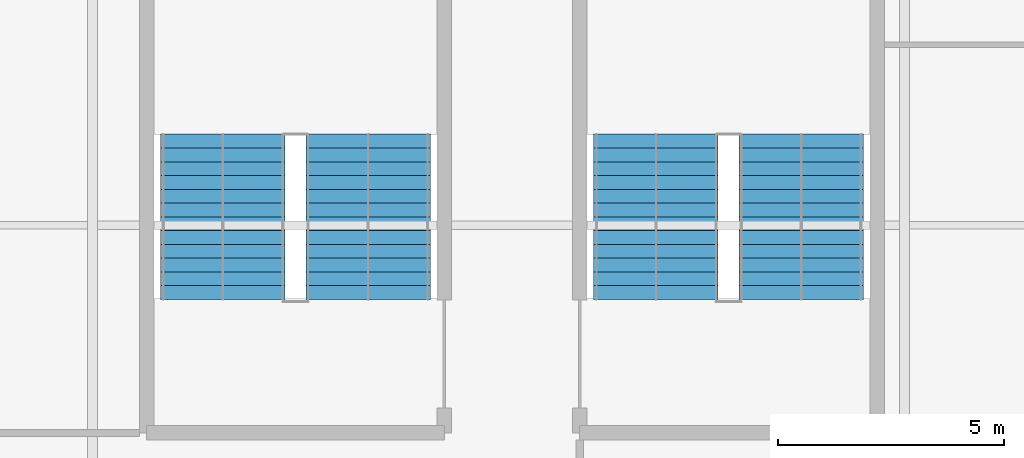
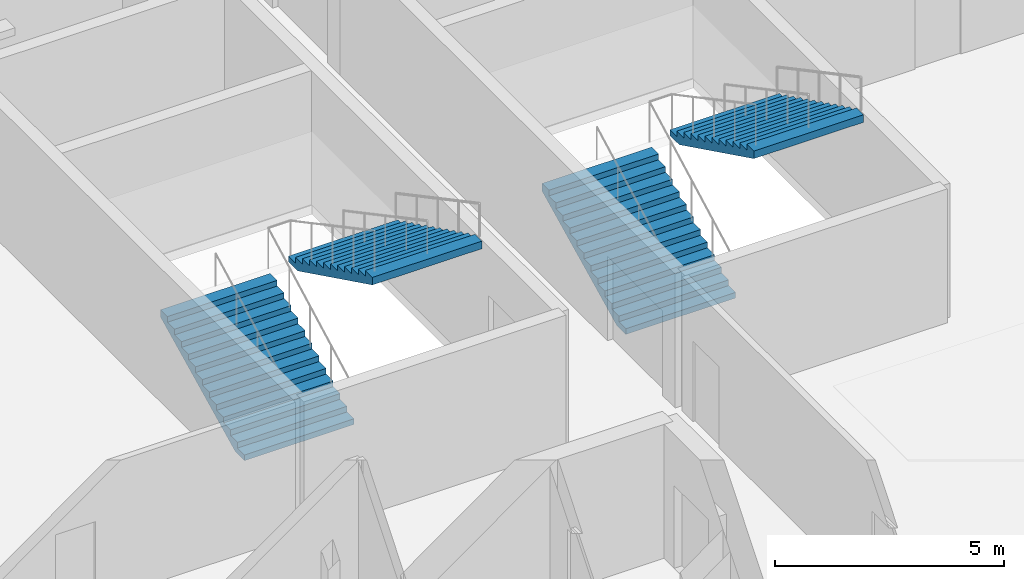
# One storey, part 42 of 55: 4 stair flights, 2 elements without a shape of their own.
"""IFC4 building model written with IfcOpenShell, lengths in metres."""

from ifc_helpers import new_model, si_unit, direction, frame, origin, place, context, subcontext, project, spatial, polygons, material, type_object, element, aggregate, save


model = new_model("IFC4")

# Units and contexts
model_context = context("Model", 3, precision=1e-05, world=origin(), true_north=direction((0.0, 1.0)))
body_context = subcontext(model_context, "Body", "Model", "MODEL_VIEW")
ifc_project = project(units=[si_unit("LENGTHUNIT", "METRE"), si_unit("AREAUNIT", "SQUARE_METRE"), si_unit("VOLUMEUNIT", "CUBIC_METRE"), si_unit("PLANEANGLEUNIT", "RADIAN"), si_unit("MASSUNIT", "GRAM", prefix="KILO")], contexts=[model_context])

# Site, building, storey
site_placement = place(None, origin())
site = spatial("IfcSite", under=ifc_project, at=site_placement, CompositionType="ELEMENT")
building_placement = place(site_placement, origin())
building = spatial("IfcBuilding", under=site, at=building_placement, Name="Kisiwana Market Hall", CompositionType="ELEMENT")
storey_placement = place(building_placement, frame((0.0, 0.0, 37.800048828125)))
storey = spatial("IfcBuildingStorey", under=building, at=storey_placement, Name="L08", CompositionType="ELEMENT", Elevation=37.800048828125)

# Stair, stair flights
ifc_material_1 = material(Name="Concrete C32/40", Category="concrete")
stair_type = type_object("IfcStairType", Name="ST-ESC-3900", PredefinedType="TWO_STRAIGHT_RUN_STAIR", material=ifc_material_1)
stair_1_placement = place(storey_placement, origin())
stair_1 = element("IfcStair", 1, at=stair_1_placement, inside=storey, type_object=stair_type, Name="Escape stair ST-W3-L08", PredefinedType="TWO_STRAIGHT_RUN_STAIR")
ifc_material_2 = material(Name="Concrete C32/40", Category="concrete")
stair_flight_type = type_object("IfcStairFlightType", Name="SF-ESC-3900", PredefinedType="STRAIGHT", material=ifc_material_2)
stair_flight_1_placement = place(storey_placement, frame((11.889892578125, 42.360107421875, 0.0), z_axis=(0.0, 0.0, 1.0), x_axis=(0.0, 1.0, 0.0)))
stair_flight_1 = element("IfcStairFlight", 2, at=stair_flight_1_placement, type_object=stair_flight_type, Name="ST-W3-L08 flight 1", NumberOfRisers=13, NumberOfTreads=12, PredefinedType="STRAIGHT", RiserHeight=0.15, TreadLength=0.305, context=body_context, shape_type="Tessellation", body=[
    polygons([(0.0, -1.380127, 0.0), (0.0, -0.690125, 0.0), (0.0, -0.000122, 0.0), (0.0, 0.68988, 0.0), (0.0, 1.379883, 0.0), (0.0, -1.380127, 0.149902), (0.0, -0.690125, 0.149902), (0.0, -0.000122, 0.149902), (0.0, 0.68988, 0.149902), (0.0, 1.379883, 0.149902), (0.304932, -1.380127, 0.149902), (0.304932, -0.690125, 0.149902), (0.304932, -0.000122, 0.149902), (0.304932, 0.68988, 0.149902), (0.304932, 1.379883, 0.149902), (0.304932, -1.380127, 0.300049), (0.304932, -0.690125, 0.300049), (0.304932, -0.000122, 0.300049), (0.304932, 0.68988, 0.300049), (0.304932, 1.379883, 0.300049), (0.610107, -1.380127, 0.300049), (0.610107, -0.690125, 0.300049), (0.610107, -0.000122, 0.300049), (0.610107, 0.68988, 0.300049), (0.610107, 1.379883, 0.300049), (0.610107, -1.380127, 0.449951), (0.610107, -0.690125, 0.449951), (0.610107, -0.000122, 0.449951), (0.610107, 0.68988, 0.449951), (0.610107, 1.379883, 0.449951), (0.915039, -1.380127, 0.449951), (0.915039, -0.690125, 0.449951), (0.915039, -0.000122, 0.449951), (0.915039, 0.68988, 0.449951), (0.915039, 1.379883, 0.449951), (0.915039, -1.380127, 0.600098), (0.915039, -0.690125, 0.600098), (0.915039, -0.000122, 0.600098), (0.915039, 0.68988, 0.600098), (0.915039, 1.379883, 0.600098), (1.219971, -1.380127, 0.600098), (1.219971, -0.690125, 0.600098), (1.219971, -0.000122, 0.600098), (1.219971, 0.68988, 0.600098), (1.219971, 1.379883, 0.600098), (1.219971, -1.380127, 0.75), (1.219971, -0.690125, 0.75), (1.219971, -0.000122, 0.75), (1.219971, 0.68988, 0.75), (1.219971, 1.379883, 0.75), (1.524902, -1.380127, 0.75), (1.524902, -0.690125, 0.75), (1.524902, -0.000122, 0.75), (1.524902, 0.68988, 0.75), (1.524902, 1.379883, 0.75), (1.524902, -1.380127, 0.899902), (1.524902, -0.690125, 0.899902), (1.524902, -0.000122, 0.899902), (1.524902, 0.68988, 0.899902), (1.524902, 1.379883, 0.899902), (1.830078, -1.380127, 0.899902), (1.830078, -0.690125, 0.899902), (1.830078, -0.000122, 0.899902), (1.830078, 0.68988, 0.899902), (1.830078, 1.379883, 0.899902), (1.830078, -1.380127, 1.050049), (1.830078, -0.690125, 1.050049), (1.830078, -0.000122, 1.050049), (1.830078, 0.68988, 1.050049), (1.830078, 1.379883, 1.050049), (2.13501, -1.380127, 1.050049), (2.13501, -0.690125, 1.050049), (2.13501, -0.000122, 1.050049), (2.13501, 0.68988, 1.050049), (2.13501, 1.379883, 1.050049), (2.13501, -1.380127, 1.199951), (2.13501, -0.690125, 1.199951), (2.13501, -0.000122, 1.199951), (2.13501, 0.68988, 1.199951), (2.13501, 1.379883, 1.199951), (2.439941, -1.380127, 1.199951), (2.439941, -0.690125, 1.199951), (2.439941, -0.000122, 1.199951), (2.439941, 0.68988, 1.199951), (2.439941, 1.379883, 1.199951), (2.439941, -1.380127, 1.350098), (2.439941, -0.690125, 1.350098), (2.439941, -0.000122, 1.350098), (2.439941, 0.68988, 1.350098), (2.439941, 1.379883, 1.350098), (2.745117, -1.380127, 1.350098), (2.745117, -0.690125, 1.350098), (2.745117, -0.000122, 1.350098), (2.745117, 0.68988, 1.350098), (2.745117, 1.379883, 1.350098), (2.745117, -1.380127, 1.5), (2.745117, -0.690125, 1.5), (2.745117, -0.000122, 1.5), (2.745117, 0.68988, 1.5), (2.745117, 1.379883, 1.5), (3.050049, -1.380127, 1.5), (3.050049, -0.690125, 1.5), (3.050049, -0.000122, 1.5), (3.050049, 0.68988, 1.5), (3.050049, 1.379883, 1.5), (3.050049, -1.380127, 1.649902), (3.050049, -0.690125, 1.649902), (3.050049, -0.000122, 1.649902), (3.050049, 0.68988, 1.649902), (3.050049, 1.379883, 1.649902), (3.35498, -1.380127, 1.649902), (3.35498, -0.690125, 1.649902), (3.35498, -0.000122, 1.649902), (3.35498, 0.68988, 1.649902), (3.35498, 1.379883, 1.649902), (3.35498, -1.380127, 1.800049), (3.35498, -0.690125, 1.800049), (3.35498, -0.000122, 1.800049), (3.35498, 0.68988, 1.800049), (3.35498, 1.379883, 1.800049), (3.659912, -1.380127, 1.800049), (3.659912, -0.690125, 1.800049), (3.659912, -0.000122, 1.800049), (3.659912, 0.68988, 1.800049), (3.659912, 1.379883, 1.800049), (3.659912, -1.380127, 1.599365), (3.659912, -0.690125, 1.599365), (3.659912, -0.000122, 1.599365), (3.659912, 0.68988, 1.599365), (3.659912, 1.379883, 1.599365), (0.407715, -1.380127, 0.0), (0.407715, -0.690125, 0.0), (0.407715, -0.000122, 0.0), (0.407715, 0.68988, 0.0), (0.407715, 1.379883, 0.0)], [[[1, 6, 7, 2]], [[2, 7, 8, 3]], [[3, 8, 9, 4]], [[4, 9, 10, 5]], [[6, 11, 12, 7]], [[7, 12, 13, 8]], [[8, 13, 14, 9]], [[9, 14, 15, 10]], [[11, 16, 17, 12]], [[12, 17, 18, 13]], [[13, 18, 19, 14]], [[14, 19, 20, 15]], [[16, 21, 22, 17]], [[17, 22, 23, 18]], [[18, 23, 24, 19]], [[19, 24, 25, 20]], [[21, 26, 27, 22]], [[22, 27, 28, 23]], [[23, 28, 29, 24]], [[24, 29, 30, 25]], [[26, 31, 32, 27]], [[27, 32, 33, 28]], [[28, 33, 34, 29]], [[29, 34, 35, 30]], [[31, 36, 37, 32]], [[32, 37, 38, 33]], [[33, 38, 39, 34]], [[34, 39, 40, 35]], [[36, 41, 42, 37]], [[37, 42, 43, 38]], [[38, 43, 44, 39]], [[39, 44, 45, 40]], [[41, 46, 47, 42]], [[42, 47, 48, 43]], [[43, 48, 49, 44]], [[44, 49, 50, 45]], [[46, 51, 52, 47]], [[47, 52, 53, 48]], [[48, 53, 54, 49]], [[49, 54, 55, 50]], [[51, 56, 57, 52]], [[52, 57, 58, 53]], [[53, 58, 59, 54]], [[54, 59, 60, 55]], [[56, 61, 62, 57]], [[57, 62, 63, 58]], [[58, 63, 64, 59]], [[59, 64, 65, 60]], [[61, 66, 67, 62]], [[62, 67, 68, 63]], [[63, 68, 69, 64]], [[64, 69, 70, 65]], [[66, 71, 72, 67]], [[67, 72, 73, 68]], [[68, 73, 74, 69]], [[69, 74, 75, 70]], [[71, 76, 77, 72]], [[72, 77, 78, 73]], [[73, 78, 79, 74]], [[74, 79, 80, 75]], [[76, 81, 82, 77]], [[77, 82, 83, 78]], [[78, 83, 84, 79]], [[79, 84, 85, 80]], [[81, 86, 87, 82]], [[82, 87, 88, 83]], [[83, 88, 89, 84]], [[84, 89, 90, 85]], [[86, 91, 92, 87]], [[87, 92, 93, 88]], [[88, 93, 94, 89]], [[89, 94, 95, 90]], [[91, 96, 97, 92]], [[92, 97, 98, 93]], [[93, 98, 99, 94]], [[94, 99, 100, 95]], [[96, 101, 102, 97]], [[97, 102, 103, 98]], [[98, 103, 104, 99]], [[99, 104, 105, 100]], [[101, 106, 107, 102]], [[102, 107, 108, 103]], [[103, 108, 109, 104]], [[104, 109, 110, 105]], [[106, 111, 112, 107]], [[107, 112, 113, 108]], [[108, 113, 114, 109]], [[109, 114, 115, 110]], [[111, 116, 117, 112]], [[112, 117, 118, 113]], [[113, 118, 119, 114]], [[114, 119, 120, 115]], [[116, 121, 122, 117]], [[117, 122, 123, 118]], [[118, 123, 124, 119]], [[119, 124, 125, 120]], [[121, 126, 127, 122]], [[122, 127, 128, 123]], [[123, 128, 129, 124]], [[124, 129, 130, 125]], [[126, 131, 132, 127]], [[127, 132, 133, 128]], [[128, 133, 134, 129]], [[129, 134, 135, 130]], [[131, 1, 2, 132]], [[132, 2, 3, 133]], [[133, 3, 4, 134]], [[134, 4, 5, 135]], [[131, 126, 121, 116, 111, 106, 101, 96, 91, 86, 81, 76, 71, 66, 61, 56, 51, 46, 41, 36, 31, 26, 21, 16, 11, 6, 1]], [[5, 10, 15, 20, 25, 30, 35, 40, 45, 50, 55, 60, 65, 70, 75, 80, 85, 90, 95, 100, 105, 110, 115, 120, 125, 130, 135]]], closed=True),
])
stair_flight_2_placement = place(storey_placement, frame((15.110107421875, 46.02001953125, 1.949951171875), z_axis=(0.0, 0.0, 1.0), x_axis=(0.0, -1.0, 0.0)))
stair_flight_2 = element("IfcStairFlight", 3, at=stair_flight_2_placement, type_object=stair_flight_type, Name="ST-W3-L08 flight 2", NumberOfRisers=13, NumberOfTreads=12, PredefinedType="STRAIGHT", RiserHeight=0.15, TreadLength=0.305, context=body_context, shape_type="Tessellation", body=[
    polygons([(0.0, -1.380127, 0.0), (0.0, -0.690125, 0.0), (0.0, -0.000122, 0.0), (0.0, 0.68988, 0.0), (0.0, 1.379883, 0.0), (0.0, -1.380127, 0.149902), (0.0, -0.690125, 0.149902), (0.0, -0.000122, 0.149902), (0.0, 0.68988, 0.149902), (0.0, 1.379883, 0.149902), (0.304932, -1.380127, 0.149902), (0.304932, -0.690125, 0.149902), (0.304932, -0.000122, 0.149902), (0.304932, 0.68988, 0.149902), (0.304932, 1.379883, 0.149902), (0.304932, -1.380127, 0.300049), (0.304932, -0.690125, 0.300049), (0.304932, -0.000122, 0.300049), (0.304932, 0.68988, 0.300049), (0.304932, 1.379883, 0.300049), (0.610107, -1.380127, 0.300049), (0.610107, -0.690125, 0.300049), (0.610107, -0.000122, 0.300049), (0.610107, 0.68988, 0.300049), (0.610107, 1.379883, 0.300049), (0.610107, -1.380127, 0.449951), (0.610107, -0.690125, 0.449951), (0.610107, -0.000122, 0.449951), (0.610107, 0.68988, 0.449951), (0.610107, 1.379883, 0.449951), (0.915039, -1.380127, 0.449951), (0.915039, -0.690125, 0.449951), (0.915039, -0.000122, 0.449951), (0.915039, 0.68988, 0.449951), (0.915039, 1.379883, 0.449951), (0.915039, -1.380127, 0.600098), (0.915039, -0.690125, 0.600098), (0.915039, -0.000122, 0.600098), (0.915039, 0.68988, 0.600098), (0.915039, 1.379883, 0.600098), (1.219971, -1.380127, 0.600098), (1.219971, -0.690125, 0.600098), (1.219971, -0.000122, 0.600098), (1.219971, 0.68988, 0.600098), (1.219971, 1.379883, 0.600098), (1.219971, -1.380127, 0.75), (1.219971, -0.690125, 0.75), (1.219971, -0.000122, 0.75), (1.219971, 0.68988, 0.75), (1.219971, 1.379883, 0.75), (1.524902, -1.380127, 0.75), (1.524902, -0.690125, 0.75), (1.524902, -0.000122, 0.75), (1.524902, 0.68988, 0.75), (1.524902, 1.379883, 0.75), (1.524902, -1.380127, 0.899902), (1.524902, -0.690125, 0.899902), (1.524902, -0.000122, 0.899902), (1.524902, 0.68988, 0.899902), (1.524902, 1.379883, 0.899902), (1.830078, -1.380127, 0.899902), (1.830078, -0.690125, 0.899902), (1.830078, -0.000122, 0.899902), (1.830078, 0.68988, 0.899902), (1.830078, 1.379883, 0.899902), (1.830078, -1.380127, 1.050049), (1.830078, -0.690125, 1.050049), (1.830078, -0.000122, 1.050049), (1.830078, 0.68988, 1.050049), (1.830078, 1.379883, 1.050049), (2.13501, -1.380127, 1.050049), (2.13501, -0.690125, 1.050049), (2.13501, -0.000122, 1.050049), (2.13501, 0.68988, 1.050049), (2.13501, 1.379883, 1.050049), (2.13501, -1.380127, 1.199951), (2.13501, -0.690125, 1.199951), (2.13501, -0.000122, 1.199951), (2.13501, 0.68988, 1.199951), (2.13501, 1.379883, 1.199951), (2.439941, -1.380127, 1.199951), (2.439941, -0.690125, 1.199951), (2.439941, -0.000122, 1.199951), (2.439941, 0.68988, 1.199951), (2.439941, 1.379883, 1.199951), (2.439941, -1.380127, 1.350098), (2.439941, -0.690125, 1.350098), (2.439941, -0.000122, 1.350098), (2.439941, 0.68988, 1.350098), (2.439941, 1.379883, 1.350098), (2.745117, -1.380127, 1.350098), (2.745117, -0.690125, 1.350098), (2.745117, -0.000122, 1.350098), (2.745117, 0.68988, 1.350098), (2.745117, 1.379883, 1.350098), (2.745117, -1.380127, 1.5), (2.745117, -0.690125, 1.5), (2.745117, -0.000122, 1.5), (2.745117, 0.68988, 1.5), (2.745117, 1.379883, 1.5), (3.050049, -1.380127, 1.5), (3.050049, -0.690125, 1.5), (3.050049, -0.000122, 1.5), (3.050049, 0.68988, 1.5), (3.050049, 1.379883, 1.5), (3.050049, -1.380127, 1.649902), (3.050049, -0.690125, 1.649902), (3.050049, -0.000122, 1.649902), (3.050049, 0.68988, 1.649902), (3.050049, 1.379883, 1.649902), (3.35498, -1.380127, 1.649902), (3.35498, -0.690125, 1.649902), (3.35498, -0.000122, 1.649902), (3.35498, 0.68988, 1.649902), (3.35498, 1.379883, 1.649902), (3.35498, -1.380127, 1.800049), (3.35498, -0.690125, 1.800049), (3.35498, -0.000122, 1.800049), (3.35498, 0.68988, 1.800049), (3.35498, 1.379883, 1.800049), (3.659912, -1.380127, 1.800049), (3.659912, -0.690125, 1.800049), (3.659912, -0.000122, 1.800049), (3.659912, 0.68988, 1.800049), (3.659912, 1.379883, 1.800049), (3.659912, -1.380127, 1.599365), (3.659912, -0.690125, 1.599365), (3.659912, -0.000122, 1.599365), (3.659912, 0.68988, 1.599365), (3.659912, 1.379883, 1.599365), (0.407715, -1.380127, 0.0), (0.407715, -0.690125, 0.0), (0.407715, -0.000122, 0.0), (0.407715, 0.68988, 0.0), (0.407715, 1.379883, 0.0)], [[[1, 6, 7, 2]], [[2, 7, 8, 3]], [[3, 8, 9, 4]], [[4, 9, 10, 5]], [[6, 11, 12, 7]], [[7, 12, 13, 8]], [[8, 13, 14, 9]], [[9, 14, 15, 10]], [[11, 16, 17, 12]], [[12, 17, 18, 13]], [[13, 18, 19, 14]], [[14, 19, 20, 15]], [[16, 21, 22, 17]], [[17, 22, 23, 18]], [[18, 23, 24, 19]], [[19, 24, 25, 20]], [[21, 26, 27, 22]], [[22, 27, 28, 23]], [[23, 28, 29, 24]], [[24, 29, 30, 25]], [[26, 31, 32, 27]], [[27, 32, 33, 28]], [[28, 33, 34, 29]], [[29, 34, 35, 30]], [[31, 36, 37, 32]], [[32, 37, 38, 33]], [[33, 38, 39, 34]], [[34, 39, 40, 35]], [[36, 41, 42, 37]], [[37, 42, 43, 38]], [[38, 43, 44, 39]], [[39, 44, 45, 40]], [[41, 46, 47, 42]], [[42, 47, 48, 43]], [[43, 48, 49, 44]], [[44, 49, 50, 45]], [[46, 51, 52, 47]], [[47, 52, 53, 48]], [[48, 53, 54, 49]], [[49, 54, 55, 50]], [[51, 56, 57, 52]], [[52, 57, 58, 53]], [[53, 58, 59, 54]], [[54, 59, 60, 55]], [[56, 61, 62, 57]], [[57, 62, 63, 58]], [[58, 63, 64, 59]], [[59, 64, 65, 60]], [[61, 66, 67, 62]], [[62, 67, 68, 63]], [[63, 68, 69, 64]], [[64, 69, 70, 65]], [[66, 71, 72, 67]], [[67, 72, 73, 68]], [[68, 73, 74, 69]], [[69, 74, 75, 70]], [[71, 76, 77, 72]], [[72, 77, 78, 73]], [[73, 78, 79, 74]], [[74, 79, 80, 75]], [[76, 81, 82, 77]], [[77, 82, 83, 78]], [[78, 83, 84, 79]], [[79, 84, 85, 80]], [[81, 86, 87, 82]], [[82, 87, 88, 83]], [[83, 88, 89, 84]], [[84, 89, 90, 85]], [[86, 91, 92, 87]], [[87, 92, 93, 88]], [[88, 93, 94, 89]], [[89, 94, 95, 90]], [[91, 96, 97, 92]], [[92, 97, 98, 93]], [[93, 98, 99, 94]], [[94, 99, 100, 95]], [[96, 101, 102, 97]], [[97, 102, 103, 98]], [[98, 103, 104, 99]], [[99, 104, 105, 100]], [[101, 106, 107, 102]], [[102, 107, 108, 103]], [[103, 108, 109, 104]], [[104, 109, 110, 105]], [[106, 111, 112, 107]], [[107, 112, 113, 108]], [[108, 113, 114, 109]], [[109, 114, 115, 110]], [[111, 116, 117, 112]], [[112, 117, 118, 113]], [[113, 118, 119, 114]], [[114, 119, 120, 115]], [[116, 121, 122, 117]], [[117, 122, 123, 118]], [[118, 123, 124, 119]], [[119, 124, 125, 120]], [[121, 126, 127, 122]], [[122, 127, 128, 123]], [[123, 128, 129, 124]], [[124, 129, 130, 125]], [[126, 131, 132, 127]], [[127, 132, 133, 128]], [[128, 133, 134, 129]], [[129, 134, 135, 130]], [[131, 1, 2, 132]], [[132, 2, 3, 133]], [[133, 3, 4, 134]], [[134, 4, 5, 135]], [[131, 126, 121, 116, 111, 106, 101, 96, 91, 86, 81, 76, 71, 66, 61, 56, 51, 46, 41, 36, 31, 26, 21, 16, 11, 6, 1]], [[5, 10, 15, 20, 25, 30, 35, 40, 45, 50, 55, 60, 65, 70, 75, 80, 85, 90, 95, 100, 105, 110, 115, 120, 125, 130, 135]]], closed=True),
])
aggregate(stair_1, [stair_flight_1, stair_flight_2])

stair_2_placement = place(storey_placement, origin())
stair_2 = element("IfcStair", 4, at=stair_2_placement, inside=storey, type_object=stair_type, Name="Escape stair ST-W7-L08", PredefinedType="TWO_STRAIGHT_RUN_STAIR")
stair_flight_3_placement = place(storey_placement, frame((21.489990234375, 42.360107421875, 0.0), z_axis=(0.0, 0.0, 1.0), x_axis=(0.0, 1.0, 0.0)))
stair_flight_3 = element("IfcStairFlight", 5, at=stair_flight_3_placement, type_object=stair_flight_type, Name="ST-W7-L08 flight 1", NumberOfRisers=13, NumberOfTreads=12, PredefinedType="STRAIGHT", RiserHeight=0.15, TreadLength=0.305, context=body_context, shape_type="Tessellation", body=[
    polygons([(0.0, -1.380127, 0.0), (0.0, -0.690125, 0.0), (0.0, -0.000122, 0.0), (0.0, 0.68988, 0.0), (0.0, 1.379883, 0.0), (0.0, -1.380127, 0.149902), (0.0, -0.690125, 0.149902), (0.0, -0.000122, 0.149902), (0.0, 0.68988, 0.149902), (0.0, 1.379883, 0.149902), (0.304932, -1.380127, 0.149902), (0.304932, -0.690125, 0.149902), (0.304932, -0.000122, 0.149902), (0.304932, 0.68988, 0.149902), (0.304932, 1.379883, 0.149902), (0.304932, -1.380127, 0.300049), (0.304932, -0.690125, 0.300049), (0.304932, -0.000122, 0.300049), (0.304932, 0.68988, 0.300049), (0.304932, 1.379883, 0.300049), (0.610107, -1.380127, 0.300049), (0.610107, -0.690125, 0.300049), (0.610107, -0.000122, 0.300049), (0.610107, 0.68988, 0.300049), (0.610107, 1.379883, 0.300049), (0.610107, -1.380127, 0.449951), (0.610107, -0.690125, 0.449951), (0.610107, -0.000122, 0.449951), (0.610107, 0.68988, 0.449951), (0.610107, 1.379883, 0.449951), (0.915039, -1.380127, 0.449951), (0.915039, -0.690125, 0.449951), (0.915039, -0.000122, 0.449951), (0.915039, 0.68988, 0.449951), (0.915039, 1.379883, 0.449951), (0.915039, -1.380127, 0.600098), (0.915039, -0.690125, 0.600098), (0.915039, -0.000122, 0.600098), (0.915039, 0.68988, 0.600098), (0.915039, 1.379883, 0.600098), (1.219971, -1.380127, 0.600098), (1.219971, -0.690125, 0.600098), (1.219971, -0.000122, 0.600098), (1.219971, 0.68988, 0.600098), (1.219971, 1.379883, 0.600098), (1.219971, -1.380127, 0.75), (1.219971, -0.690125, 0.75), (1.219971, -0.000122, 0.75), (1.219971, 0.68988, 0.75), (1.219971, 1.379883, 0.75), (1.524902, -1.380127, 0.75), (1.524902, -0.690125, 0.75), (1.524902, -0.000122, 0.75), (1.524902, 0.68988, 0.75), (1.524902, 1.379883, 0.75), (1.524902, -1.380127, 0.899902), (1.524902, -0.690125, 0.899902), (1.524902, -0.000122, 0.899902), (1.524902, 0.68988, 0.899902), (1.524902, 1.379883, 0.899902), (1.830078, -1.380127, 0.899902), (1.830078, -0.690125, 0.899902), (1.830078, -0.000122, 0.899902), (1.830078, 0.68988, 0.899902), (1.830078, 1.379883, 0.899902), (1.830078, -1.380127, 1.050049), (1.830078, -0.690125, 1.050049), (1.830078, -0.000122, 1.050049), (1.830078, 0.68988, 1.050049), (1.830078, 1.379883, 1.050049), (2.13501, -1.380127, 1.050049), (2.13501, -0.690125, 1.050049), (2.13501, -0.000122, 1.050049), (2.13501, 0.68988, 1.050049), (2.13501, 1.379883, 1.050049), (2.13501, -1.380127, 1.199951), (2.13501, -0.690125, 1.199951), (2.13501, -0.000122, 1.199951), (2.13501, 0.68988, 1.199951), (2.13501, 1.379883, 1.199951), (2.439941, -1.380127, 1.199951), (2.439941, -0.690125, 1.199951), (2.439941, -0.000122, 1.199951), (2.439941, 0.68988, 1.199951), (2.439941, 1.379883, 1.199951), (2.439941, -1.380127, 1.350098), (2.439941, -0.690125, 1.350098), (2.439941, -0.000122, 1.350098), (2.439941, 0.68988, 1.350098), (2.439941, 1.379883, 1.350098), (2.745117, -1.380127, 1.350098), (2.745117, -0.690125, 1.350098), (2.745117, -0.000122, 1.350098), (2.745117, 0.68988, 1.350098), (2.745117, 1.379883, 1.350098), (2.745117, -1.380127, 1.5), (2.745117, -0.690125, 1.5), (2.745117, -0.000122, 1.5), (2.745117, 0.68988, 1.5), (2.745117, 1.379883, 1.5), (3.050049, -1.380127, 1.5), (3.050049, -0.690125, 1.5), (3.050049, -0.000122, 1.5), (3.050049, 0.68988, 1.5), (3.050049, 1.379883, 1.5), (3.050049, -1.380127, 1.649902), (3.050049, -0.690125, 1.649902), (3.050049, -0.000122, 1.649902), (3.050049, 0.68988, 1.649902), (3.050049, 1.379883, 1.649902), (3.35498, -1.380127, 1.649902), (3.35498, -0.690125, 1.649902), (3.35498, -0.000122, 1.649902), (3.35498, 0.68988, 1.649902), (3.35498, 1.379883, 1.649902), (3.35498, -1.380127, 1.800049), (3.35498, -0.690125, 1.800049), (3.35498, -0.000122, 1.800049), (3.35498, 0.68988, 1.800049), (3.35498, 1.379883, 1.800049), (3.659912, -1.380127, 1.800049), (3.659912, -0.690125, 1.800049), (3.659912, -0.000122, 1.800049), (3.659912, 0.68988, 1.800049), (3.659912, 1.379883, 1.800049), (3.659912, -1.380127, 1.599365), (3.659912, -0.690125, 1.599365), (3.659912, -0.000122, 1.599365), (3.659912, 0.68988, 1.599365), (3.659912, 1.379883, 1.599365), (0.407715, -1.380127, 0.0), (0.407715, -0.690125, 0.0), (0.407715, -0.000122, 0.0), (0.407715, 0.68988, 0.0), (0.407715, 1.379883, 0.0)], [[[1, 6, 7, 2]], [[2, 7, 8, 3]], [[3, 8, 9, 4]], [[4, 9, 10, 5]], [[6, 11, 12, 7]], [[7, 12, 13, 8]], [[8, 13, 14, 9]], [[9, 14, 15, 10]], [[11, 16, 17, 12]], [[12, 17, 18, 13]], [[13, 18, 19, 14]], [[14, 19, 20, 15]], [[16, 21, 22, 17]], [[17, 22, 23, 18]], [[18, 23, 24, 19]], [[19, 24, 25, 20]], [[21, 26, 27, 22]], [[22, 27, 28, 23]], [[23, 28, 29, 24]], [[24, 29, 30, 25]], [[26, 31, 32, 27]], [[27, 32, 33, 28]], [[28, 33, 34, 29]], [[29, 34, 35, 30]], [[31, 36, 37, 32]], [[32, 37, 38, 33]], [[33, 38, 39, 34]], [[34, 39, 40, 35]], [[36, 41, 42, 37]], [[37, 42, 43, 38]], [[38, 43, 44, 39]], [[39, 44, 45, 40]], [[41, 46, 47, 42]], [[42, 47, 48, 43]], [[43, 48, 49, 44]], [[44, 49, 50, 45]], [[46, 51, 52, 47]], [[47, 52, 53, 48]], [[48, 53, 54, 49]], [[49, 54, 55, 50]], [[51, 56, 57, 52]], [[52, 57, 58, 53]], [[53, 58, 59, 54]], [[54, 59, 60, 55]], [[56, 61, 62, 57]], [[57, 62, 63, 58]], [[58, 63, 64, 59]], [[59, 64, 65, 60]], [[61, 66, 67, 62]], [[62, 67, 68, 63]], [[63, 68, 69, 64]], [[64, 69, 70, 65]], [[66, 71, 72, 67]], [[67, 72, 73, 68]], [[68, 73, 74, 69]], [[69, 74, 75, 70]], [[71, 76, 77, 72]], [[72, 77, 78, 73]], [[73, 78, 79, 74]], [[74, 79, 80, 75]], [[76, 81, 82, 77]], [[77, 82, 83, 78]], [[78, 83, 84, 79]], [[79, 84, 85, 80]], [[81, 86, 87, 82]], [[82, 87, 88, 83]], [[83, 88, 89, 84]], [[84, 89, 90, 85]], [[86, 91, 92, 87]], [[87, 92, 93, 88]], [[88, 93, 94, 89]], [[89, 94, 95, 90]], [[91, 96, 97, 92]], [[92, 97, 98, 93]], [[93, 98, 99, 94]], [[94, 99, 100, 95]], [[96, 101, 102, 97]], [[97, 102, 103, 98]], [[98, 103, 104, 99]], [[99, 104, 105, 100]], [[101, 106, 107, 102]], [[102, 107, 108, 103]], [[103, 108, 109, 104]], [[104, 109, 110, 105]], [[106, 111, 112, 107]], [[107, 112, 113, 108]], [[108, 113, 114, 109]], [[109, 114, 115, 110]], [[111, 116, 117, 112]], [[112, 117, 118, 113]], [[113, 118, 119, 114]], [[114, 119, 120, 115]], [[116, 121, 122, 117]], [[117, 122, 123, 118]], [[118, 123, 124, 119]], [[119, 124, 125, 120]], [[121, 126, 127, 122]], [[122, 127, 128, 123]], [[123, 128, 129, 124]], [[124, 129, 130, 125]], [[126, 131, 132, 127]], [[127, 132, 133, 128]], [[128, 133, 134, 129]], [[129, 134, 135, 130]], [[131, 1, 2, 132]], [[132, 2, 3, 133]], [[133, 3, 4, 134]], [[134, 4, 5, 135]], [[131, 126, 121, 116, 111, 106, 101, 96, 91, 86, 81, 76, 71, 66, 61, 56, 51, 46, 41, 36, 31, 26, 21, 16, 11, 6, 1]], [[5, 10, 15, 20, 25, 30, 35, 40, 45, 50, 55, 60, 65, 70, 75, 80, 85, 90, 95, 100, 105, 110, 115, 120, 125, 130, 135]]], closed=True),
])
stair_flight_4_placement = place(storey_placement, frame((24.7099609375, 46.02001953125, 1.949951171875), z_axis=(0.0, 0.0, 1.0), x_axis=(0.0, -1.0, 0.0)))
stair_flight_4 = element("IfcStairFlight", 6, at=stair_flight_4_placement, type_object=stair_flight_type, Name="ST-W7-L08 flight 2", NumberOfRisers=13, NumberOfTreads=12, PredefinedType="STRAIGHT", RiserHeight=0.15, TreadLength=0.305, context=body_context, shape_type="Tessellation", body=[
    polygons([(0.0, -1.380127, 0.0), (0.0, -0.690125, 0.0), (0.0, -0.000122, 0.0), (0.0, 0.68988, 0.0), (0.0, 1.379883, 0.0), (0.0, -1.380127, 0.149902), (0.0, -0.690125, 0.149902), (0.0, -0.000122, 0.149902), (0.0, 0.68988, 0.149902), (0.0, 1.379883, 0.149902), (0.304932, -1.380127, 0.149902), (0.304932, -0.690125, 0.149902), (0.304932, -0.000122, 0.149902), (0.304932, 0.68988, 0.149902), (0.304932, 1.379883, 0.149902), (0.304932, -1.380127, 0.300049), (0.304932, -0.690125, 0.300049), (0.304932, -0.000122, 0.300049), (0.304932, 0.68988, 0.300049), (0.304932, 1.379883, 0.300049), (0.610107, -1.380127, 0.300049), (0.610107, -0.690125, 0.300049), (0.610107, -0.000122, 0.300049), (0.610107, 0.68988, 0.300049), (0.610107, 1.379883, 0.300049), (0.610107, -1.380127, 0.449951), (0.610107, -0.690125, 0.449951), (0.610107, -0.000122, 0.449951), (0.610107, 0.68988, 0.449951), (0.610107, 1.379883, 0.449951), (0.915039, -1.380127, 0.449951), (0.915039, -0.690125, 0.449951), (0.915039, -0.000122, 0.449951), (0.915039, 0.68988, 0.449951), (0.915039, 1.379883, 0.449951), (0.915039, -1.380127, 0.600098), (0.915039, -0.690125, 0.600098), (0.915039, -0.000122, 0.600098), (0.915039, 0.68988, 0.600098), (0.915039, 1.379883, 0.600098), (1.219971, -1.380127, 0.600098), (1.219971, -0.690125, 0.600098), (1.219971, -0.000122, 0.600098), (1.219971, 0.68988, 0.600098), (1.219971, 1.379883, 0.600098), (1.219971, -1.380127, 0.75), (1.219971, -0.690125, 0.75), (1.219971, -0.000122, 0.75), (1.219971, 0.68988, 0.75), (1.219971, 1.379883, 0.75), (1.524902, -1.380127, 0.75), (1.524902, -0.690125, 0.75), (1.524902, -0.000122, 0.75), (1.524902, 0.68988, 0.75), (1.524902, 1.379883, 0.75), (1.524902, -1.380127, 0.899902), (1.524902, -0.690125, 0.899902), (1.524902, -0.000122, 0.899902), (1.524902, 0.68988, 0.899902), (1.524902, 1.379883, 0.899902), (1.830078, -1.380127, 0.899902), (1.830078, -0.690125, 0.899902), (1.830078, -0.000122, 0.899902), (1.830078, 0.68988, 0.899902), (1.830078, 1.379883, 0.899902), (1.830078, -1.380127, 1.050049), (1.830078, -0.690125, 1.050049), (1.830078, -0.000122, 1.050049), (1.830078, 0.68988, 1.050049), (1.830078, 1.379883, 1.050049), (2.13501, -1.380127, 1.050049), (2.13501, -0.690125, 1.050049), (2.13501, -0.000122, 1.050049), (2.13501, 0.68988, 1.050049), (2.13501, 1.379883, 1.050049), (2.13501, -1.380127, 1.199951), (2.13501, -0.690125, 1.199951), (2.13501, -0.000122, 1.199951), (2.13501, 0.68988, 1.199951), (2.13501, 1.379883, 1.199951), (2.439941, -1.380127, 1.199951), (2.439941, -0.690125, 1.199951), (2.439941, -0.000122, 1.199951), (2.439941, 0.68988, 1.199951), (2.439941, 1.379883, 1.199951), (2.439941, -1.380127, 1.350098), (2.439941, -0.690125, 1.350098), (2.439941, -0.000122, 1.350098), (2.439941, 0.68988, 1.350098), (2.439941, 1.379883, 1.350098), (2.745117, -1.380127, 1.350098), (2.745117, -0.690125, 1.350098), (2.745117, -0.000122, 1.350098), (2.745117, 0.68988, 1.350098), (2.745117, 1.379883, 1.350098), (2.745117, -1.380127, 1.5), (2.745117, -0.690125, 1.5), (2.745117, -0.000122, 1.5), (2.745117, 0.68988, 1.5), (2.745117, 1.379883, 1.5), (3.050049, -1.380127, 1.5), (3.050049, -0.690125, 1.5), (3.050049, -0.000122, 1.5), (3.050049, 0.68988, 1.5), (3.050049, 1.379883, 1.5), (3.050049, -1.380127, 1.649902), (3.050049, -0.690125, 1.649902), (3.050049, -0.000122, 1.649902), (3.050049, 0.68988, 1.649902), (3.050049, 1.379883, 1.649902), (3.35498, -1.380127, 1.649902), (3.35498, -0.690125, 1.649902), (3.35498, -0.000122, 1.649902), (3.35498, 0.68988, 1.649902), (3.35498, 1.379883, 1.649902), (3.35498, -1.380127, 1.800049), (3.35498, -0.690125, 1.800049), (3.35498, -0.000122, 1.800049), (3.35498, 0.68988, 1.800049), (3.35498, 1.379883, 1.800049), (3.659912, -1.380127, 1.800049), (3.659912, -0.690125, 1.800049), (3.659912, -0.000122, 1.800049), (3.659912, 0.68988, 1.800049), (3.659912, 1.379883, 1.800049), (3.659912, -1.380127, 1.599365), (3.659912, -0.690125, 1.599365), (3.659912, -0.000122, 1.599365), (3.659912, 0.68988, 1.599365), (3.659912, 1.379883, 1.599365), (0.407715, -1.380127, 0.0), (0.407715, -0.690125, 0.0), (0.407715, -0.000122, 0.0), (0.407715, 0.68988, 0.0), (0.407715, 1.379883, 0.0)], [[[1, 6, 7, 2]], [[2, 7, 8, 3]], [[3, 8, 9, 4]], [[4, 9, 10, 5]], [[6, 11, 12, 7]], [[7, 12, 13, 8]], [[8, 13, 14, 9]], [[9, 14, 15, 10]], [[11, 16, 17, 12]], [[12, 17, 18, 13]], [[13, 18, 19, 14]], [[14, 19, 20, 15]], [[16, 21, 22, 17]], [[17, 22, 23, 18]], [[18, 23, 24, 19]], [[19, 24, 25, 20]], [[21, 26, 27, 22]], [[22, 27, 28, 23]], [[23, 28, 29, 24]], [[24, 29, 30, 25]], [[26, 31, 32, 27]], [[27, 32, 33, 28]], [[28, 33, 34, 29]], [[29, 34, 35, 30]], [[31, 36, 37, 32]], [[32, 37, 38, 33]], [[33, 38, 39, 34]], [[34, 39, 40, 35]], [[36, 41, 42, 37]], [[37, 42, 43, 38]], [[38, 43, 44, 39]], [[39, 44, 45, 40]], [[41, 46, 47, 42]], [[42, 47, 48, 43]], [[43, 48, 49, 44]], [[44, 49, 50, 45]], [[46, 51, 52, 47]], [[47, 52, 53, 48]], [[48, 53, 54, 49]], [[49, 54, 55, 50]], [[51, 56, 57, 52]], [[52, 57, 58, 53]], [[53, 58, 59, 54]], [[54, 59, 60, 55]], [[56, 61, 62, 57]], [[57, 62, 63, 58]], [[58, 63, 64, 59]], [[59, 64, 65, 60]], [[61, 66, 67, 62]], [[62, 67, 68, 63]], [[63, 68, 69, 64]], [[64, 69, 70, 65]], [[66, 71, 72, 67]], [[67, 72, 73, 68]], [[68, 73, 74, 69]], [[69, 74, 75, 70]], [[71, 76, 77, 72]], [[72, 77, 78, 73]], [[73, 78, 79, 74]], [[74, 79, 80, 75]], [[76, 81, 82, 77]], [[77, 82, 83, 78]], [[78, 83, 84, 79]], [[79, 84, 85, 80]], [[81, 86, 87, 82]], [[82, 87, 88, 83]], [[83, 88, 89, 84]], [[84, 89, 90, 85]], [[86, 91, 92, 87]], [[87, 92, 93, 88]], [[88, 93, 94, 89]], [[89, 94, 95, 90]], [[91, 96, 97, 92]], [[92, 97, 98, 93]], [[93, 98, 99, 94]], [[94, 99, 100, 95]], [[96, 101, 102, 97]], [[97, 102, 103, 98]], [[98, 103, 104, 99]], [[99, 104, 105, 100]], [[101, 106, 107, 102]], [[102, 107, 108, 103]], [[103, 108, 109, 104]], [[104, 109, 110, 105]], [[106, 111, 112, 107]], [[107, 112, 113, 108]], [[108, 113, 114, 109]], [[109, 114, 115, 110]], [[111, 116, 117, 112]], [[112, 117, 118, 113]], [[113, 118, 119, 114]], [[114, 119, 120, 115]], [[116, 121, 122, 117]], [[117, 122, 123, 118]], [[118, 123, 124, 119]], [[119, 124, 125, 120]], [[121, 126, 127, 122]], [[122, 127, 128, 123]], [[123, 128, 129, 124]], [[124, 129, 130, 125]], [[126, 131, 132, 127]], [[127, 132, 133, 128]], [[128, 133, 134, 129]], [[129, 134, 135, 130]], [[131, 1, 2, 132]], [[132, 2, 3, 133]], [[133, 3, 4, 134]], [[134, 4, 5, 135]], [[131, 126, 121, 116, 111, 106, 101, 96, 91, 86, 81, 76, 71, 66, 61, 56, 51, 46, 41, 36, 31, 26, 21, 16, 11, 6, 1]], [[5, 10, 15, 20, 25, 30, 35, 40, 45, 50, 55, 60, 65, 70, 75, 80, 85, 90, 95, 100, 105, 110, 115, 120, 125, 130, 135]]], closed=True),
])
aggregate(stair_2, [stair_flight_3, stair_flight_4])

save(model, "model.ifc")
